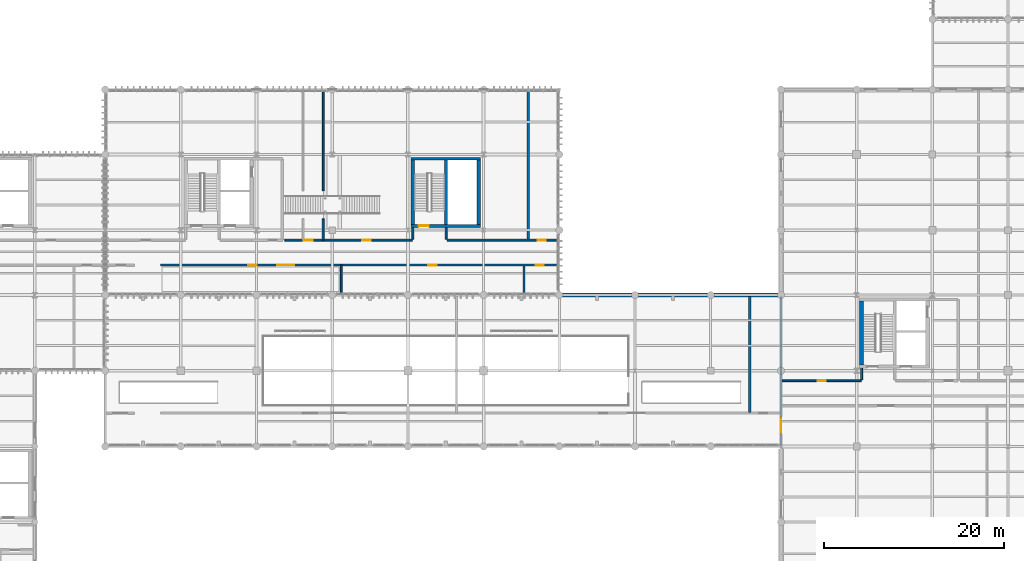
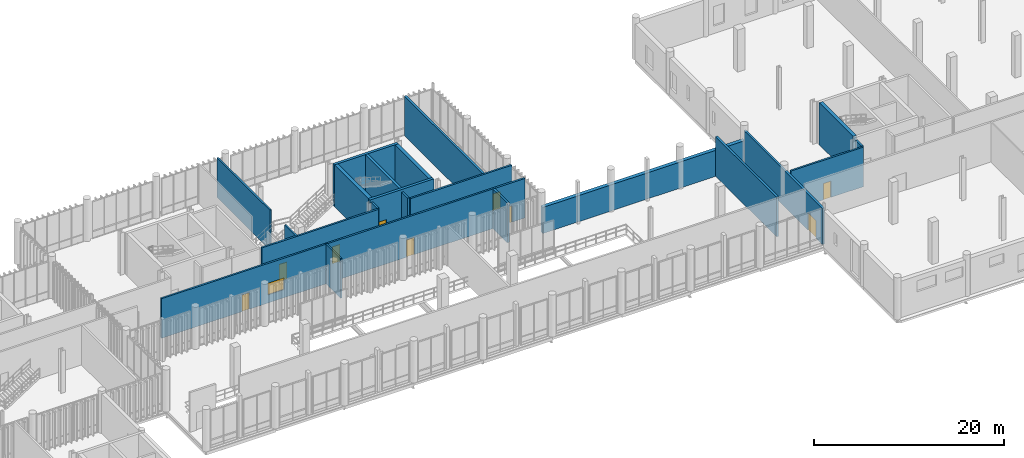
# One storey, part 108 of 128: 21 walls, 9 doors, 1 window, 10 openings.
"""IFC4 building model written with IfcOpenShell, lengths in metres."""

from ifc_helpers import new_model, si_unit, direction, frame, frame_2d, origin_with_axes, place, context, subcontext, project, spatial, rectangle, extrude, material, layer, layer_set, type_object, element, fill, save


model = new_model("IFC4")

# Units and contexts
model_context = context("Model", 3, precision=1e-05, world=origin_with_axes(), true_north=direction((0.0, 1.0)))
body_context = subcontext(model_context, "Body", "Model", "MODEL_VIEW")
ifc_project = project(units=[si_unit("LENGTHUNIT", "METRE"), si_unit("AREAUNIT", "SQUARE_METRE"), si_unit("VOLUMEUNIT", "CUBIC_METRE"), si_unit("PLANEANGLEUNIT", "RADIAN"), si_unit("MASSUNIT", "GRAM", prefix="KILO"), si_unit("THERMODYNAMICTEMPERATUREUNIT", "KELVIN")], contexts=[model_context])

# Site, building, storey
site_placement = place(None, origin_with_axes())
site = spatial("IfcSite", under=ifc_project, at=site_placement, CompositionType="ELEMENT")
building_placement = place(site_placement, origin_with_axes())
building = spatial("IfcBuilding", under=site, at=building_placement, Name="Montbau Bow Law Courts", CompositionType="ELEMENT")
storey_placement = place(building_placement, frame((0.0, 0.0, 5.4), z_axis=(0.0, 0.0, 1.0), x_axis=(1.0, 0.0, 0.0)))
storey = spatial("IfcBuildingStorey", under=building, at=storey_placement, Name="L01", CompositionType="ELEMENT", Elevation=5.4)

# Walls
ifc_material_1 = material(Name="Concrete CSA A23.1 f'c 45 MPa", Category="concrete")
ifc_layer_1 = layer(ifc_material_1, 0.42, Name="Shear Wall", Category="concrete")
ifc_layer_set_1 = layer_set([ifc_layer_1], Name="Concrete CSA A23.1 f'c 45 MPa")
wall_type_1 = type_object("IfcWallType", Name="W-COR-03", PredefinedType="SHEAR", material=ifc_layer_set_1)
for number, where, z_axis, x_axis, name in (
    (1, (88.26, 46.84, 5.4), (0.0, 0.0, 1.0), (0.0, 1.0, 0.0), "WC-L01-0226:wal_0293"),
    (2, (80.94, 53.96, 5.4), (0.0, 0.0, 1.0), (0.0, -1.0, 0.0), "WC-L01-0227:wal_0294"),
):
    element("IfcWall", number, at=place(None, frame(where, z_axis=z_axis, x_axis=x_axis)), inside=storey, type_object=wall_type_1, Name=name, PredefinedType="SHEAR", context=body_context, shape_type="SweptSolid", body=[
        extrude(rectangle(XDim=7.119999999999997, YDim=0.42, at=frame_2d((3.56, 0.0), x_axis=(1.0, 0.0))), origin_with_axes(), (0.0, 0.0, 1.0), 5.4),
    ])
wall_1_placement = place(None, frame((130.74, 38.36, 5.4), z_axis=(0.0, 0.0, 1.0), x_axis=(0.0, -1.0, 0.0)))
element("IfcWall", 3, at=wall_1_placement, inside=storey, type_object=wall_type_1, Name="WC-L01-0501:wal_0568", PredefinedType="SHEAR", context=body_context, shape_type="SweptSolid", body=[
    extrude(rectangle(XDim=7.120000000000001, YDim=0.42, at=frame_2d((3.56, 0.0), x_axis=(1.0, 0.0))), origin_with_axes(), (0.0, 0.0, 1.0), 5.4),
])

# Wall, opening, door
ifc_layer_2 = layer(ifc_material_1, 0.32, Name="Shear Wall", Category="concrete")
ifc_layer_set_2 = layer_set([ifc_layer_2], Name="Concrete CSA A23.1 f'c 45 MPa")
wall_type_2 = type_object("IfcWallType", Name="W-COR-05", PredefinedType="SHEAR", material=ifc_layer_set_2)
wall_2_placement = place(None, frame((80.73, 46.68, 5.4), z_axis=(0.0, 0.0, 1.0), x_axis=(1.0, 0.0, 0.0)))
wall_2 = element("IfcWall", 4, at=wall_2_placement, inside=storey, type_object=wall_type_2, Name="WC-L01-0224:wal_0291", PredefinedType="SHEAR", context=body_context, shape_type="SweptSolid", body=[
    extrude(rectangle(XDim=7.739999999999995, YDim=0.32, at=frame_2d((3.87, 0.0), x_axis=(1.0, 0.0))), origin_with_axes(), (0.0, 0.0, 1.0), 5.4),
])
opening_1_placement = place(None, frame((82.15, 46.68, 5.4), z_axis=(0.0, 0.0, 1.0), x_axis=(1.0, 0.0, 0.0)))
opening_1 = element("IfcOpeningElement", 5, at=opening_1_placement, cuts=wall_2, Name="OP-D-L01-ST-P3", PredefinedType="OPENING", context=body_context, shape_type="SweptSolid", body=[
    extrude(rectangle(XDim=1.14, YDim=2.18, at=frame_2d((0.0, 1.09), x_axis=(1.0, 0.0))), frame((0.0, 0.17, 0.0), z_axis=(0.0, -1.0, 0.0), x_axis=(1.0, 0.0, 0.0)), (0.0, 0.0, 1.0), 0.34),
])
ifc_material_2 = material(Name="1.5 h Fire-Rated Hollow-Metal Exit Stair Door", Category="steel")
door_type_1 = type_object("IfcDoorType", Name="D-ST-01", OperationType="NOTDEFINED", ParameterTakesPrecedence=False, PredefinedType="DOOR", material=ifc_material_2)
door_1_placement = place(None, frame((82.15, 46.68, 5.4), z_axis=(0.0, 0.0, 1.0), x_axis=(-1.0, 0.0, 0.0)))
door_1 = element("IfcDoor", 6, at=door_1_placement, inside=storey, type_object=door_type_1, Name="D-L01-ST-P3:dor_0127", OperationType="SINGLE_SWING_LEFT", OverallHeight=2.18, OverallWidth=1.14, PredefinedType="DOOR", context=body_context, shape_type="SweptSolid", body=[
    extrude(rectangle(XDim=1.14, YDim=2.18, at=frame_2d((0.0, 1.09), x_axis=(1.0, 0.0))), frame((0.0, 0.04, 0.0), z_axis=(0.0, -1.0, 0.0), x_axis=(1.0, 0.0, 0.0)), (0.0, 0.0, 1.0), 0.08),
])
fill(opening_1, door_1)

# Walls
wall_3_placement = place(None, frame((88.47, 54.12, 5.4), z_axis=(0.0, 0.0, 1.0), x_axis=(-1.0, 0.0, 0.0)))
element("IfcWall", 7, at=wall_3_placement, inside=storey, type_object=wall_type_2, Name="WC-L01-0225:wal_0292", PredefinedType="SHEAR", context=body_context, shape_type="SweptSolid", body=[
    extrude(rectangle(XDim=7.739999999999995, YDim=0.32, at=frame_2d((3.87, 0.0), x_axis=(1.0, 0.0))), origin_with_axes(), (0.0, 0.0, 1.0), 5.4),
])
wall_4_placement = place(None, frame((84.62, 46.84, 5.4), z_axis=(0.0, 0.0, 1.0), x_axis=(0.0, 1.0, 0.0)))
element("IfcWall", 8, at=wall_4_placement, inside=storey, type_object=wall_type_2, Name="WS-L01-0228:wal_0295", PredefinedType="SHEAR", context=body_context, shape_type="SweptSolid", body=[
    extrude(rectangle(XDim=7.119999999999997, YDim=0.32, at=frame_2d((3.56, 0.0), x_axis=(1.0, 0.0))), origin_with_axes(), (0.0, 0.0, 1.0), 5.4),
])
ifc_material_3 = material(Name="Tyndall Limestone Ashlar Spandrel Assembly", Category="masonry")
ifc_layer_3 = layer(ifc_material_3, 0.44, Name="Solid Wall", Category="masonry")
ifc_layer_set_3 = layer_set([ifc_layer_3], Name="Tyndall Limestone Ashlar Spandrel Assembly")
wall_type_3 = type_object("IfcWallType", Name="W-EXT-03", PredefinedType="SOLIDWALL", material=ifc_layer_set_3)
wall_5_placement = place(None, frame((121.75, 39.0, 5.4), z_axis=(0.0, 0.0, 1.0), x_axis=(-1.0, 0.0, 0.0)))
element("IfcWall", 9, at=wall_5_placement, inside=storey, type_object=wall_type_3, Name="WE-L01-009:wal_0026", PredefinedType="SOLIDWALL", context=body_context, shape_type="SweptSolid", body=[
    extrude(rectangle(XDim=24.5, YDim=0.44, at=frame_2d((12.25, 0.0), x_axis=(1.0, 0.0))), origin_with_axes(), (0.0, 0.0, 1.0), 3.35),
])
ifc_material_4 = material(Name="Double-Stud Acoustic Plumbing Chase Gypsum Assembly", Category="gypsum")
ifc_layer_4 = layer(ifc_material_4, 0.26, Name="Plumbing Wall", Category="gypsum")
ifc_layer_set_4 = layer_set([ifc_layer_4], Name="Double-Stud Acoustic Plumbing Chase Gypsum Assembly")
wall_type_4 = type_object("IfcWallType", Name="W-PLM-01", PredefinedType="PLUMBINGWALL", material=ifc_layer_set_4)
wall_6_placement = place(None, frame((93.74, 45.19, 5.4), z_axis=(0.0, 0.0, 1.0), x_axis=(0.0, 1.0, 0.0)))
element("IfcWall", 10, at=wall_6_placement, inside=storey, type_object=wall_type_4, Name="WD-L01-0701:wal_0768", PredefinedType="PLUMBINGWALL", context=body_context, shape_type="SweptSolid", body=[
    extrude(rectangle(XDim=16.43, YDim=0.26, at=frame_2d((8.215, 0.0), x_axis=(1.0, 0.0))), origin_with_axes(), (0.0, 0.0, 1.0), 5.08),
])
wall_7_placement = place(None, frame((93.29, 39.18, 5.4), z_axis=(0.0, 0.0, 1.0), x_axis=(0.0, 1.0, 0.0)))
element("IfcWall", 11, at=wall_7_placement, inside=storey, type_object=wall_type_4, Name="WD-L01-0702:wal_0769", PredefinedType="PLUMBINGWALL", context=body_context, shape_type="SweptSolid", body=[
    extrude(rectangle(XDim=3.030000000000001, YDim=0.26, at=frame_2d((1.515, 0.0), x_axis=(1.0, 0.0))), origin_with_axes(), (0.0, 0.0, 1.0), 5.08),
])
wall_8_placement = place(None, frame((118.34, 25.99, 5.4), z_axis=(0.0, 0.0, 1.0), x_axis=(0.0, 1.0, 0.0)))
element("IfcWall", 12, at=wall_8_placement, inside=storey, type_object=wall_type_4, Name="WD-L01-0710:wal_0777", PredefinedType="PLUMBINGWALL", context=body_context, shape_type="SweptSolid", body=[
    extrude(rectangle(XDim=12.830000000000002, YDim=0.26, at=frame_2d((6.415, 0.0), x_axis=(1.0, 0.0))), origin_with_axes(), (0.0, 0.0, 1.0), 5.08),
])

# Wall, opening, door
ifc_material_5 = material(Name="2 h Shaft and Exit-Passage Fire Separation Partition", Category="gypsum")
ifc_layer_5 = layer(ifc_material_5, 0.25, Name="Partition", Category="gypsum")
ifc_layer_set_5 = layer_set([ifc_layer_5], Name="2 h Shaft and Exit-Passage Fire Separation Partition")
wall_type_5 = type_object("IfcWallType", Name="W-PRT-01", PredefinedType="PARTITIONING", material=ifc_layer_set_5)
wall_9_placement = place(None, frame((121.8, 22.34, 5.4), z_axis=(0.0, 0.0, 1.0), x_axis=(0.0, 1.0, 0.0)))
wall_9 = element("IfcWall", 13, at=wall_9_placement, inside=storey, type_object=wall_type_5, Name="WLK-L01-0562:wal_0629", PredefinedType="PARTITIONING", context=body_context, shape_type="SweptSolid", body=[
    extrude(rectangle(XDim=16.52, YDim=0.25, at=frame_2d((8.26, 0.0), x_axis=(1.0, 0.0))), origin_with_axes(), (0.0, 0.0, 1.0), 4.644),
])
opening_2_placement = place(None, frame((121.8, 24.53, 5.4), z_axis=(0.0, 0.0, 1.0), x_axis=(0.0, 1.0, 0.0)))
opening_2 = element("IfcOpeningElement", 14, at=opening_2_placement, cuts=wall_9, Name="OP-D-LNK-211", PredefinedType="OPENING", context=body_context, shape_type="SweptSolid", body=[
    extrude(rectangle(XDim=1.76, YDim=2.26, at=frame_2d((0.0, 1.13), x_axis=(1.0, 0.0))), frame((0.0, 0.135, 0.0), z_axis=(0.0, -1.0, 0.0), x_axis=(1.0, 0.0, 0.0)), (0.0, 0.0, 1.0), 0.27),
])
ifc_material_6 = material(Name="Detention-Grade Steel Sally-Port Transfer Gate", Category="steel")
door_type_2 = type_object("IfcDoorType", Name="D-GAT-03", OperationType="NOTDEFINED", ParameterTakesPrecedence=False, PredefinedType="GATE", material=ifc_material_6)
door_2_placement = place(None, frame((121.8, 24.53, 5.4), z_axis=(0.0, 0.0, 1.0), x_axis=(0.0, 1.0, 0.0)))
door_2 = element("IfcDoor", 15, at=door_2_placement, inside=storey, type_object=door_type_2, Name="D-LNK-211:dor_0245", OperationType="DOUBLE_DOOR_SINGLE_SWING", OverallHeight=2.26, OverallWidth=1.76, PredefinedType="GATE", context=body_context, shape_type="SweptSolid", body=[
    extrude(rectangle(XDim=1.76, YDim=2.26, at=frame_2d((0.0, 1.13), x_axis=(1.0, 0.0))), frame((0.0, 0.04, 0.0), z_axis=(0.0, -1.0, 0.0), x_axis=(1.0, 0.0, 0.0)), (0.0, 0.0, 1.0), 0.08),
])
fill(opening_2, door_2)

# Walls
ifc_material_7 = material(Name="STC-60 High-Acoustic Courtroom Perimeter Partition", Category="gypsum")
ifc_layer_6 = layer(ifc_material_7, 0.22, Name="Partition", Category="gypsum")
ifc_layer_set_6 = layer_set([ifc_layer_6], Name="STC-60 High-Acoustic Courtroom Perimeter Partition")
wall_type_6 = type_object("IfcWallType", Name="W-PRT-02", PredefinedType="PARTITIONING", material=ifc_layer_set_6)
for number, where, z_axis, x_axis, name in (
    (16, (80.94, 45.22, 5.4), (0.0, 0.0, 1.0), (0.0, 1.0, 0.0), "WCX-L01-0693:wal_0760"),
    (17, (84.65, 45.22, 5.4), (0.0, 0.0, 1.0), (0.0, 1.0, 0.0), "WCX-L01-0694:wal_0761"),
):
    element("IfcWall", number, at=place(None, frame(where, z_axis=z_axis, x_axis=x_axis)), inside=storey, type_object=wall_type_6, Name=name, PredefinedType="PARTITIONING", context=body_context, shape_type="SweptSolid", body=[
        extrude(rectangle(XDim=1.259999999999998, YDim=0.22, at=frame_2d((0.63, 0.0), x_axis=(1.0, 0.0))), origin_with_axes(), (0.0, 0.0, 1.0), 5.08),
    ])

# Wall, openings, doors
wall_10_placement = place(None, frame((66.755, 45.09, 5.4), z_axis=(0.0, 0.0, 1.0), x_axis=(1.0, 0.0, 0.0)))
wall_10 = element("IfcWall", 18, at=wall_10_placement, inside=storey, type_object=wall_type_6, Name="WP-L01-0697:wal_0764", PredefinedType="PARTITIONING", context=body_context, shape_type="SweptSolid", body=[
    extrude(rectangle(XDim=14.14500000000001, YDim=0.22, at=frame_2d((7.0725, 0.0), x_axis=(1.0, 0.0))), origin_with_axes(), (0.0, 0.0, 1.0), 5.08),
])
opening_3_placement = place(None, frame((69.34, 45.09, 5.4), z_axis=(0.0, 0.0, 1.0), x_axis=(1.0, 0.0, 0.0)))
opening_3 = element("IfcOpeningElement", 19, at=opening_3_placement, cuts=wall_10, Name="OP-D-L01-279", PredefinedType="OPENING", context=body_context, shape_type="SweptSolid", body=[
    extrude(rectangle(XDim=0.95, YDim=2.16, at=frame_2d((0.0, 1.08), x_axis=(1.0, 0.0))), frame((0.0, 0.12, 0.0), z_axis=(0.0, -1.0, 0.0), x_axis=(1.0, 0.0, 0.0)), (0.0, 0.0, 1.0), 0.24),
])
opening_4_placement = place(None, frame((75.789, 45.09, 5.4), z_axis=(0.0, 0.0, 1.0), x_axis=(1.0, 0.0, 0.0)))
opening_4 = element("IfcOpeningElement", 20, at=opening_4_placement, cuts=wall_10, Name="OP-D-L01-280", PredefinedType="OPENING", context=body_context, shape_type="SweptSolid", body=[
    extrude(rectangle(XDim=0.95, YDim=2.16, at=frame_2d((0.0, 1.08), x_axis=(1.0, 0.0))), frame((0.0, 0.12, 0.0), z_axis=(0.0, -1.0, 0.0), x_axis=(1.0, 0.0, 0.0)), (0.0, 0.0, 1.0), 0.24),
])
ifc_material_8 = material(Name="Mediation and Witness Waiting Acoustic Oak Door", Category="wood")
door_type_3 = type_object("IfcDoorType", Name="D-MED-01", OperationType="NOTDEFINED", ParameterTakesPrecedence=False, PredefinedType="DOOR", material=ifc_material_8)
door_3_placement = place(None, frame((69.34, 45.09, 5.4), z_axis=(0.0, 0.0, 1.0), x_axis=(-1.0, 0.0, 0.0)))
door_3 = element("IfcDoor", 21, at=door_3_placement, inside=storey, type_object=door_type_3, Name="D-L01-279:dor_0314", OperationType="SINGLE_SWING_RIGHT", OverallHeight=2.16, OverallWidth=0.95, PredefinedType="DOOR", context=body_context, shape_type="SweptSolid", body=[
    extrude(rectangle(XDim=0.95, YDim=2.16, at=frame_2d((0.0, 1.08), x_axis=(1.0, 0.0))), frame((0.0, 0.04, 0.0), z_axis=(0.0, -1.0, 0.0), x_axis=(1.0, 0.0, 0.0)), (0.0, 0.0, 1.0), 0.08),
])
fill(opening_3, door_3)
door_4_placement = place(None, frame((75.789, 45.09, 5.4), z_axis=(0.0, 0.0, 1.0), x_axis=(-1.0, 0.0, 0.0)))
door_4 = element("IfcDoor", 22, at=door_4_placement, inside=storey, type_object=door_type_3, Name="D-L01-280:dor_0315", OperationType="SINGLE_SWING_LEFT", OverallHeight=2.16, OverallWidth=0.95, PredefinedType="DOOR", context=body_context, shape_type="SweptSolid", body=[
    extrude(rectangle(XDim=0.95, YDim=2.16, at=frame_2d((0.0, 1.08), x_axis=(1.0, 0.0))), frame((0.0, 0.04, 0.0), z_axis=(0.0, -1.0, 0.0), x_axis=(1.0, 0.0, 0.0)), (0.0, 0.0, 1.0), 0.08),
])
fill(opening_4, door_4)

# Wall, opening, door
wall_11_placement = place(None, frame((84.75, 45.09, 5.4), z_axis=(0.0, 0.0, 1.0), x_axis=(1.0, 0.0, 0.0)))
wall_11 = element("IfcWall", 23, at=wall_11_placement, inside=storey, type_object=wall_type_6, Name="WP-L01-0698:wal_0765", PredefinedType="PARTITIONING", context=body_context, shape_type="SweptSolid", body=[
    extrude(rectangle(XDim=12.310000000000002, YDim=0.22, at=frame_2d((6.155, 0.0), x_axis=(1.0, 0.0))), origin_with_axes(), (0.0, 0.0, 1.0), 5.08),
])
opening_5_placement = place(None, frame((95.238, 45.09, 5.4), z_axis=(0.0, 0.0, 1.0), x_axis=(1.0, 0.0, 0.0)))
opening_5 = element("IfcOpeningElement", 24, at=opening_5_placement, cuts=wall_11, Name="OP-D-L01-281", PredefinedType="OPENING", context=body_context, shape_type="SweptSolid", body=[
    extrude(rectangle(XDim=0.91, YDim=2.12, at=frame_2d((0.0, 1.06), x_axis=(1.0, 0.0))), frame((0.0, 0.12, 0.0), z_axis=(0.0, -1.0, 0.0), x_axis=(1.0, 0.0, 0.0)), (0.0, 0.0, 1.0), 0.24),
])
ifc_material_9 = material(Name="Public and Judicial Washroom Solid-Core Door", Category="wood")
door_type_4 = type_object("IfcDoorType", Name="D-WC-02", OperationType="NOTDEFINED", ParameterTakesPrecedence=False, PredefinedType="DOOR", material=ifc_material_9)
door_5_placement = place(None, frame((95.238, 45.09, 5.4), z_axis=(0.0, 0.0, 1.0), x_axis=(-1.0, 0.0, 0.0)))
door_5 = element("IfcDoor", 25, at=door_5_placement, inside=storey, type_object=door_type_4, Name="D-L01-281:dor_0316", OperationType="SINGLE_SWING_RIGHT", OverallHeight=2.12, OverallWidth=0.91, PredefinedType="DOOR", context=body_context, shape_type="SweptSolid", body=[
    extrude(rectangle(XDim=0.91, YDim=2.12, at=frame_2d((0.0, 1.06), x_axis=(1.0, 0.0))), frame((0.0, 0.04, 0.0), z_axis=(0.0, -1.0, 0.0), x_axis=(1.0, 0.0, 0.0)), (0.0, 0.0, 1.0), 0.08),
])
fill(opening_5, door_5)

# Wall, openings, doors, window
wall_12_placement = place(None, frame((52.95, 42.31, 5.4), z_axis=(0.0, 0.0, 1.0), x_axis=(1.0, 0.0, 0.0)))
wall_12 = element("IfcWall", 26, at=wall_12_placement, inside=storey, type_object=wall_type_6, Name="WP-L01-0700:wal_0767", PredefinedType="PARTITIONING", context=body_context, shape_type="SweptSolid", body=[
    extrude(rectangle(XDim=44.11, YDim=0.22, at=frame_2d((22.055, 0.0), x_axis=(1.0, 0.0))), origin_with_axes(), (0.0, 0.0, 1.0), 5.08),
])
opening_6_placement = place(None, frame((63.136, 42.31, 5.4), z_axis=(0.0, 0.0, 1.0), x_axis=(1.0, 0.0, 0.0)))
opening_6 = element("IfcOpeningElement", 27, at=opening_6_placement, cuts=wall_12, Name="OP-D-L01-283", PredefinedType="OPENING", context=body_context, shape_type="SweptSolid", body=[
    extrude(rectangle(XDim=0.92, YDim=2.14, at=frame_2d((0.0, 1.07), x_axis=(1.0, 0.0))), frame((0.0, 0.12, 0.0), z_axis=(0.0, -1.0, 0.0), x_axis=(1.0, 0.0, 0.0)), (0.0, 0.0, 1.0), 0.24),
])
opening_7_placement = place(None, frame((83.144, 42.31, 5.4), z_axis=(0.0, 0.0, 1.0), x_axis=(1.0, 0.0, 0.0)))
opening_7 = element("IfcOpeningElement", 28, at=opening_7_placement, cuts=wall_12, Name="OP-D-L01-284", PredefinedType="OPENING", context=body_context, shape_type="SweptSolid", body=[
    extrude(rectangle(XDim=0.96, YDim=2.2, at=frame_2d((0.0, 1.1), x_axis=(1.0, 0.0))), frame((0.0, 0.12, 0.0), z_axis=(0.0, -1.0, 0.0), x_axis=(1.0, 0.0, 0.0)), (0.0, 0.0, 1.0), 0.24),
])
opening_8_placement = place(None, frame((95.013, 42.31, 5.4), z_axis=(0.0, 0.0, 1.0), x_axis=(1.0, 0.0, 0.0)))
opening_8 = element("IfcOpeningElement", 29, at=opening_8_placement, cuts=wall_12, Name="OP-D-L01-285", PredefinedType="OPENING", context=body_context, shape_type="SweptSolid", body=[
    extrude(rectangle(XDim=0.91, YDim=2.12, at=frame_2d((0.0, 1.06), x_axis=(1.0, 0.0))), frame((0.0, 0.12, 0.0), z_axis=(0.0, -1.0, 0.0), x_axis=(1.0, 0.0, 0.0)), (0.0, 0.0, 1.0), 0.24),
])
opening_9_placement = place(None, frame((66.826, 42.31, 6.45), z_axis=(0.0, 0.0, 1.0), x_axis=(1.0, 0.0, 0.0)))
opening_9 = element("IfcOpeningElement", 30, at=opening_9_placement, cuts=wall_12, Name="OP-WI-L01-11", PredefinedType="OPENING", context=body_context, shape_type="SweptSolid", body=[
    extrude(rectangle(XDim=1.9, YDim=1.5, at=frame_2d((0.0, 0.75), x_axis=(1.0, 0.0))), frame((0.0, 0.12, 0.0), z_axis=(0.0, -1.0, 0.0), x_axis=(1.0, 0.0, 0.0)), (0.0, 0.0, 1.0), 0.24),
])
ifc_material_10 = material(Name="Resident Judge Chambers Solid White-Oak Door", Category="wood")
door_type_5 = type_object("IfcDoorType", Name="D-CHM-01", OperationType="NOTDEFINED", ParameterTakesPrecedence=False, PredefinedType="DOOR", material=ifc_material_10)
door_6_placement = place(None, frame((83.144, 42.31, 5.4), z_axis=(0.0, 0.0, 1.0), x_axis=(1.0, 0.0, 0.0)))
door_6 = element("IfcDoor", 31, at=door_6_placement, inside=storey, type_object=door_type_5, Name="D-L01-284:dor_0319", OperationType="SINGLE_SWING_LEFT", OverallHeight=2.2, OverallWidth=0.96, PredefinedType="DOOR", context=body_context, shape_type="SweptSolid", body=[
    extrude(rectangle(XDim=0.96, YDim=2.2, at=frame_2d((0.0, 1.1), x_axis=(1.0, 0.0))), frame((0.0, 0.04, 0.0), z_axis=(0.0, -1.0, 0.0), x_axis=(1.0, 0.0, 0.0)), (0.0, 0.0, 1.0), 0.08),
])
fill(opening_7, door_6)
ifc_material_11 = material(Name="Judicial Law Clerk and Registry Office Oak Door", Category="wood")
door_type_6 = type_object("IfcDoorType", Name="D-OFF-01", OperationType="NOTDEFINED", ParameterTakesPrecedence=False, PredefinedType="DOOR", material=ifc_material_11)
door_7_placement = place(None, frame((63.136, 42.31, 5.4), z_axis=(0.0, 0.0, 1.0), x_axis=(1.0, 0.0, 0.0)))
door_7 = element("IfcDoor", 32, at=door_7_placement, inside=storey, type_object=door_type_6, Name="D-L01-283:dor_0318", OperationType="SINGLE_SWING_RIGHT", OverallHeight=2.14, OverallWidth=0.92, PredefinedType="DOOR", context=body_context, shape_type="SweptSolid", body=[
    extrude(rectangle(XDim=0.92, YDim=2.14, at=frame_2d((0.0, 1.07), x_axis=(1.0, 0.0))), frame((0.0, 0.04, 0.0), z_axis=(0.0, -1.0, 0.0), x_axis=(1.0, 0.0, 0.0)), (0.0, 0.0, 1.0), 0.08),
])
fill(opening_6, door_7)
door_8_placement = place(None, frame((95.013, 42.31, 5.4), z_axis=(0.0, 0.0, 1.0), x_axis=(1.0, 0.0, 0.0)))
door_8 = element("IfcDoor", 33, at=door_8_placement, inside=storey, type_object=door_type_4, Name="D-L01-285:dor_0320", OperationType="SINGLE_SWING_RIGHT", OverallHeight=2.12, OverallWidth=0.91, PredefinedType="DOOR", context=body_context, shape_type="SweptSolid", body=[
    extrude(rectangle(XDim=0.91, YDim=2.12, at=frame_2d((0.0, 1.06), x_axis=(1.0, 0.0))), frame((0.0, 0.04, 0.0), z_axis=(0.0, -1.0, 0.0), x_axis=(1.0, 0.0, 0.0)), (0.0, 0.0, 1.0), 0.08),
])
fill(opening_8, door_8)
ifc_material_12 = material(Name="Fire-Rated Acoustic Borrowed-Light Interior Glazing", Category="glass")
window_type = type_object("IfcWindowType", Name="WN-INT-01", ParameterTakesPrecedence=False, PartitioningType="SINGLE_PANEL", PredefinedType="WINDOW", material=ifc_material_12)
window_placement = place(None, frame((66.826, 42.31, 6.45), z_axis=(0.0, 0.0, 1.0), x_axis=(1.0, 0.0, 0.0)))
window = element("IfcWindow", 34, at=window_placement, inside=storey, type_object=window_type, Name="WI-L01-11:win_0133", OverallHeight=1.5, OverallWidth=1.9, PartitioningType="SINGLE_PANEL", PredefinedType="WINDOW", context=body_context, shape_type="SweptSolid", body=[
    extrude(rectangle(XDim=1.9, YDim=1.5, at=frame_2d((0.0, 0.75), x_axis=(1.0, 0.0))), frame((0.0, 0.03, 0.0), z_axis=(0.0, -1.0, 0.0), x_axis=(1.0, 0.0, 0.0)), (0.0, 0.0, 1.0), 0.06),
])
fill(opening_9, window)

# Walls
wall_13_placement = place(None, frame((71.001, 45.09, 5.4), z_axis=(0.0, 0.0, 1.0), x_axis=(0.0, 1.0, 0.0)))
element("IfcWall", 35, at=wall_13_placement, inside=storey, type_object=wall_type_6, Name="WD-L01-0705:wal_0772", PredefinedType="PARTITIONING", context=body_context, shape_type="SweptSolid", body=[
    extrude(rectangle(XDim=2.3599999999999994, YDim=0.22, at=frame_2d((1.18, 0.0), x_axis=(1.0, 0.0))), origin_with_axes(), (0.0, 0.0, 1.0), 5.08),
])
wall_14_placement = place(None, frame((130.74, 29.62, 5.4), z_axis=(0.0, 0.0, 1.0), x_axis=(0.0, 1.0, 0.0)))
element("IfcWall", 36, at=wall_14_placement, inside=storey, type_object=wall_type_6, Name="WCX-L01-0718:wal_0785", PredefinedType="PARTITIONING", context=body_context, shape_type="SweptSolid", body=[
    extrude(rectangle(XDim=1.259999999999998, YDim=0.22, at=frame_2d((0.63, 0.0), x_axis=(1.0, 0.0))), origin_with_axes(), (0.0, 0.0, 1.0), 5.08),
])

# Wall, opening, door
wall_15_placement = place(None, frame((121.94, 29.49, 5.4), z_axis=(0.0, 0.0, 1.0), x_axis=(1.0, 0.0, 0.0)))
wall_15 = element("IfcWall", 37, at=wall_15_placement, inside=storey, type_object=wall_type_6, Name="WP-L01-0720:wal_0787", PredefinedType="PARTITIONING", context=body_context, shape_type="SweptSolid", body=[
    extrude(rectangle(XDim=8.759999999999991, YDim=0.22, at=frame_2d((4.38, 0.0), x_axis=(1.0, 0.0))), origin_with_axes(), (0.0, 0.0, 1.0), 5.08),
])
opening_10_placement = place(None, frame((126.32, 29.49, 5.4), z_axis=(0.0, 0.0, 1.0), x_axis=(1.0, 0.0, 0.0)))
opening_10 = element("IfcOpeningElement", 38, at=opening_10_placement, cuts=wall_15, Name="OP-D-L01-293", PredefinedType="OPENING", context=body_context, shape_type="SweptSolid", body=[
    extrude(rectangle(XDim=0.93, YDim=2.1, at=frame_2d((0.0, 1.05), x_axis=(1.0, 0.0))), frame((0.0, 0.12, 0.0), z_axis=(0.0, -1.0, 0.0), x_axis=(1.0, 0.0, 0.0)), (0.0, 0.0, 1.0), 0.24),
])
ifc_material_13 = material(Name="Custody Holding Cell Steel Observation Door", Category="steel")
door_type_7 = type_object("IfcDoorType", Name="D-CEL-01", OperationType="NOTDEFINED", ParameterTakesPrecedence=False, PredefinedType="DOOR", material=ifc_material_13)
door_9_placement = place(None, frame((126.32, 29.49, 5.4), z_axis=(0.0, 0.0, 1.0), x_axis=(-1.0, 0.0, 0.0)))
door_9 = element("IfcDoor", 39, at=door_9_placement, inside=storey, type_object=door_type_7, Name="D-L01-293:dor_0328", OperationType="SINGLE_SWING_LEFT", OverallHeight=2.1, OverallWidth=0.93, PredefinedType="DOOR", context=body_context, shape_type="SweptSolid", body=[
    extrude(rectangle(XDim=0.93, YDim=2.1, at=frame_2d((0.0, 1.05), x_axis=(1.0, 0.0))), frame((0.0, 0.04, 0.0), z_axis=(0.0, -1.0, 0.0), x_axis=(1.0, 0.0, 0.0)), (0.0, 0.0, 1.0), 0.08),
])
fill(opening_10, door_9)

# Walls
ifc_material_14 = material(Name="STC-55 Jury Deliberation Security Partition", Category="gypsum")
ifc_layer_7 = layer(ifc_material_14, 0.2, Name="Partition", Category="gypsum")
ifc_layer_set_7 = layer_set([ifc_layer_7], Name="STC-55 Jury Deliberation Security Partition")
wall_type_7 = type_object("IfcWallType", Name="W-PRT-03", PredefinedType="PARTITIONING", material=ifc_layer_set_7)
wall_16_placement = place(None, frame((71.001, 50.55, 5.4), z_axis=(0.0, 0.0, 1.0), x_axis=(0.0, 1.0, 0.0)))
element("IfcWall", 40, at=wall_16_placement, inside=storey, type_object=wall_type_7, Name="WD-L01-0706:wal_0773", PredefinedType="PARTITIONING", context=body_context, shape_type="SweptSolid", body=[
    extrude(rectangle(XDim=11.11, YDim=0.2, at=frame_2d((5.555, 0.0), x_axis=(1.0, 0.0))), origin_with_axes(), (0.0, 0.0, 1.0), 5.08),
])
ifc_material_15 = material(Name="1 h Corridor Fire-Rated Gypsum Partition", Category="gypsum")
ifc_layer_8 = layer(ifc_material_15, 0.18, Name="Partition", Category="gypsum")
ifc_layer_set_8 = layer_set([ifc_layer_8], Name="1 h Corridor Fire-Rated Gypsum Partition")
wall_type_8 = type_object("IfcWallType", Name="W-PRT-04", PredefinedType="PARTITIONING", material=ifc_layer_set_8)
wall_17_placement = place(None, frame((72.999, 39.14, 5.4), z_axis=(0.0, 0.0, 1.0), x_axis=(0.0, 1.0, 0.0)))
element("IfcWall", 41, at=wall_17_placement, inside=storey, type_object=wall_type_8, Name="WD-L01-0707:wal_0774", PredefinedType="PARTITIONING", context=body_context, shape_type="SweptSolid", body=[
    extrude(rectangle(XDim=3.1700000000000017, YDim=0.18, at=frame_2d((1.585, 0.0), x_axis=(1.0, 0.0))), origin_with_axes(), (0.0, 0.0, 1.0), 5.08),
])

save(model, "model.ifc")
